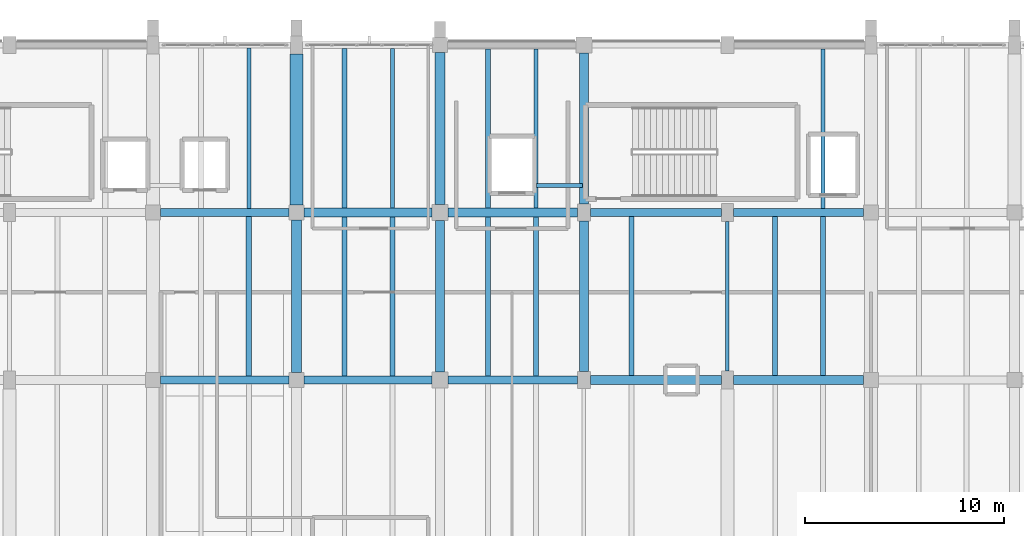
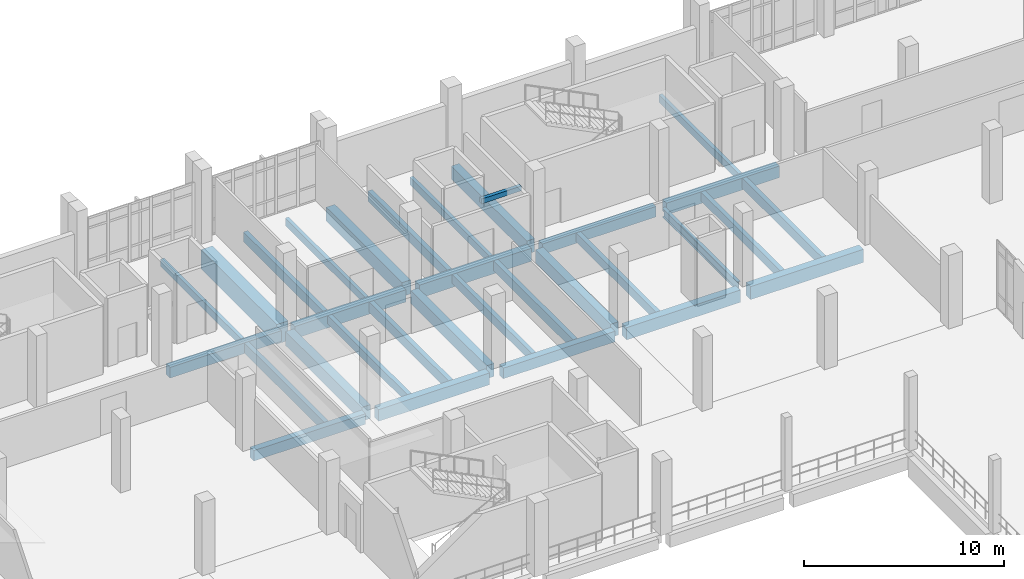
# One storey, part 63 of 116: 32 beams.
"""IFC4 building model written with IfcOpenShell, lengths in metres."""

from ifc_helpers import new_model, si_unit, direction, frame, origin, origin_2d, place, context, subcontext, project, spatial, rectangle, i_section, extrude, material, material_profile, profile_set, type_object, element, save


model = new_model("IFC4")

# Units and contexts
model_context = context("Model", 3, precision=1e-05, world=origin(), true_north=direction((0.0, 1.0)))
body_context = subcontext(model_context, "Body", "Model", "MODEL_VIEW")
ifc_project = project(units=[si_unit("LENGTHUNIT", "METRE"), si_unit("AREAUNIT", "SQUARE_METRE"), si_unit("VOLUMEUNIT", "CUBIC_METRE"), si_unit("PLANEANGLEUNIT", "RADIAN"), si_unit("MASSUNIT", "GRAM", prefix="KILO")], contexts=[model_context])

# Site, building, storey
site_placement = place(None, origin())
site = spatial("IfcSite", under=ifc_project, at=site_placement, CompositionType="ELEMENT")
building_placement = place(site_placement, origin())
building = spatial("IfcBuilding", under=site, at=building_placement, Name="Kalluvel Institute of Natural Sciences", CompositionType="ELEMENT")
storey_placement = place(building_placement, frame((0.0, 0.0, 14.39990234375)))
storey = spatial("IfcBuildingStorey", under=building, at=storey_placement, Name="L03", CompositionType="ELEMENT", Elevation=14.39990234375)

# Beams
ifc_material_1 = material(Name="Steel E350 Grade 350", Category="steel")
ifc_material_profile_1 = material_profile(ifc_material_1, i_section(OverallWidth=0.18994140625, OverallDepth=0.550048828125, WebThickness=0.01123046875, FlangeThickness=0.019287109375, FilletRadius=0.01806640625, at=origin_2d()), Name="ISMB 550")
ifc_profile_set_1 = profile_set([ifc_material_profile_1], Name="Steel E350 Grade 350")
beam_type_1 = type_object("IfcBeamType", Name="BM-ISMB550", PredefinedType="BEAM", material=ifc_profile_set_1)
beam_1_placement = place(storey_placement, frame((71.60009765625, 111.64990234375, -0.594970703125), z_axis=(0.0, 1.0, 0.0), x_axis=(-1.0, 0.0, 0.0)))
element("IfcBeam", 1, at=beam_1_placement, inside=storey, type_object=beam_type_1, Name="L03 girder GIR-L03-NS-X716-Y1112", PredefinedType="BEAM", context=body_context, shape_type="SweptSolid", body=[
    extrude(i_section(OverallWidth=0.18994140625, OverallDepth=0.550048828125, WebThickness=0.01123046875, FlangeThickness=0.019287109375, FilletRadius=0.01806640625, at=origin_2d()), origin(), (0.0, 0.0, 1.0), 7.5),
])
ifc_material_2 = material(Name="Concrete M40", Category="concrete")
ifc_material_profile_2 = material_profile(ifc_material_2, rectangle(XDim=0.3798828125, YDim=0.639892578125, at=origin_2d()), Name="RCB 380x640")
ifc_profile_set_2 = profile_set([ifc_material_profile_2], Name="Concrete M40")
beam_type_2 = type_object("IfcBeamType", Name="BM-RC380x640", PredefinedType="BEAM", material=ifc_profile_set_2)
beam_2_placement = place(storey_placement, frame((43.175048828125, 111.199951171875, -0.639892578125), z_axis=(1.0, 0.0, 0.0), x_axis=(0.0, 1.0, 0.0)))
element("IfcBeam", 2, at=beam_2_placement, inside=storey, type_object=beam_type_2, Name="L03 girder GIR-L03-EW-X428-Y1112", PredefinedType="BEAM", context=body_context, shape_type="SweptSolid", body=[
    extrude(rectangle(XDim=0.3798828125, YDim=0.639892578125, at=origin_2d()), origin(), (0.0, 0.0, 1.0), 6.449951171875),
])
beam_3_placement = place(storey_placement, frame((64.72509765625, 119.60009765625, -0.639892578125), z_axis=(1.0, 0.0, 0.0), x_axis=(0.0, 1.0, 0.0)))
element("IfcBeam", 3, at=beam_3_placement, inside=storey, type_object=beam_type_2, Name="L03 girder GIR-L03-EW-X644-Y1196", PredefinedType="BEAM", context=body_context, shape_type="SweptSolid", body=[
    extrude(rectangle(XDim=0.3798828125, YDim=0.639892578125, at=origin_2d()), origin(), (0.0, 0.0, 1.0), 6.574951171875),
])
ifc_material_profile_3 = material_profile(ifc_material_2, rectangle(XDim=0.39990234375, YDim=0.64990234375, at=origin_2d()), Name="RCB 400x650")
ifc_profile_set_3 = profile_set([ifc_material_profile_3], Name="Concrete M40")
beam_type_3 = type_object("IfcBeamType", Name="BM-RC400x650", PredefinedType="BEAM", material=ifc_profile_set_3)
beam_4_placement = place(storey_placement, frame((57.60009765625, 111.199951171875, -0.64501953125), z_axis=(1.0, 0.0, 0.0), x_axis=(0.0, 1.0, 0.0)))
element("IfcBeam", 4, at=beam_4_placement, inside=storey, type_object=beam_type_3, Name="L03 girder GIR-L03-EW-X572-Y1112", PredefinedType="BEAM", context=body_context, shape_type="SweptSolid", body=[
    extrude(rectangle(XDim=0.39990234375, YDim=0.64990234375, at=origin_2d()), origin(), (0.0, 0.0, 1.0), 6.474853515625),
])
beam_5_placement = place(storey_placement, frame((43.175048828125, 119.60009765625, -0.64501953125), z_axis=(1.0, 0.0, 0.0), x_axis=(0.0, 1.0, 0.0)))
element("IfcBeam", 5, at=beam_5_placement, inside=storey, type_object=beam_type_3, Name="L03 girder GIR-L03-EW-X428-Y1196", PredefinedType="BEAM", context=body_context, shape_type="SweptSolid", body=[
    extrude(rectangle(XDim=0.39990234375, YDim=0.64990234375, at=origin_2d()), origin(), (0.0, 0.0, 1.0), 6.449951171875),
])
ifc_material_profile_4 = material_profile(ifc_material_2, rectangle(XDim=0.419921875, YDim=0.719970703125, at=origin_2d()), Name="RCB 420x720")
ifc_profile_set_4 = profile_set([ifc_material_profile_4], Name="Concrete M40")
beam_type_4 = type_object("IfcBeamType", Name="BM-RC420x720", PredefinedType="BEAM", material=ifc_profile_set_4)
beam_6_placement = place(storey_placement, frame((50.375, 111.199951171875, -0.679931640625), z_axis=(1.0, 0.0, 0.0), x_axis=(0.0, 1.0, 0.0)))
element("IfcBeam", 6, at=beam_6_placement, inside=storey, type_object=beam_type_4, Name="L03 girder GIR-L03-EW-X500-Y1112", PredefinedType="BEAM", context=body_context, shape_type="SweptSolid", body=[
    extrude(rectangle(XDim=0.419921875, YDim=0.719970703125, at=origin_2d()), origin(), (0.0, 0.0, 1.0), 6.425048828125),
])
beam_7_placement = place(storey_placement, frame((71.89990234375, 119.60009765625, -0.679931640625), z_axis=(1.0, 0.0, 0.0), x_axis=(0.0, 1.0, 0.0)))
element("IfcBeam", 7, at=beam_7_placement, inside=storey, type_object=beam_type_4, Name="L03 girder GIR-L03-EW-X716-Y1196", PredefinedType="BEAM", context=body_context, shape_type="SweptSolid", body=[
    extrude(rectangle(XDim=0.419921875, YDim=0.719970703125, at=origin_2d()), origin(), (0.0, 0.0, 1.0), 6.525146484375),
])
ifc_material_profile_5 = material_profile(ifc_material_2, rectangle(XDim=0.449951171875, YDim=0.75, at=origin_2d()), Name="RCB 450x750")
ifc_profile_set_5 = profile_set([ifc_material_profile_5], Name="Concrete M40")
beam_type_5 = type_object("IfcBeamType", Name="BM-RC450x750", PredefinedType="BEAM", material=ifc_profile_set_5)
beam_8_placement = place(storey_placement, frame((64.72509765625, 111.199951171875, -0.69482421875), z_axis=(1.0, 0.0, 0.0), x_axis=(0.0, 1.0, 0.0)))
element("IfcBeam", 8, at=beam_8_placement, inside=storey, type_object=beam_type_5, Name="L03 girder GIR-L03-EW-X644-Y1112", PredefinedType="BEAM", context=body_context, shape_type="SweptSolid", body=[
    extrude(rectangle(XDim=0.449951171875, YDim=0.75, at=origin_2d()), origin(), (0.0, 0.0, 1.0), 6.574951171875),
])
beam_9_placement = place(storey_placement, frame((50.375, 119.60009765625, -0.69482421875), z_axis=(1.0, 0.0, 0.0), x_axis=(0.0, 1.0, 0.0)))
element("IfcBeam", 9, at=beam_9_placement, inside=storey, type_object=beam_type_5, Name="L03 girder GIR-L03-EW-X500-Y1196", PredefinedType="BEAM", context=body_context, shape_type="SweptSolid", body=[
    extrude(rectangle(XDim=0.449951171875, YDim=0.75, at=origin_2d()), origin(), (0.0, 0.0, 1.0), 6.425048828125),
])
ifc_material_profile_6 = material_profile(ifc_material_2, rectangle(XDim=0.449951171875, YDim=0.800048828125, at=origin_2d()), Name="RCB 450x800")
ifc_profile_set_6 = profile_set([ifc_material_profile_6], Name="Concrete M40")
beam_type_6 = type_object("IfcBeamType", Name="BM-RC450x800", PredefinedType="BEAM", material=ifc_profile_set_6)
beam_10_placement = place(storey_placement, frame((71.89990234375, 111.199951171875, -0.719970703125), z_axis=(1.0, 0.0, 0.0), x_axis=(0.0, 1.0, 0.0)))
element("IfcBeam", 10, at=beam_10_placement, inside=storey, type_object=beam_type_6, Name="L03 girder GIR-L03-EW-X716-Y1112", PredefinedType="BEAM", context=body_context, shape_type="SweptSolid", body=[
    extrude(rectangle(XDim=0.449951171875, YDim=0.800048828125, at=origin_2d()), origin(), (0.0, 0.0, 1.0), 6.525146484375),
])
beam_11_placement = place(storey_placement, frame((57.60009765625, 119.60009765625, -0.719970703125), z_axis=(1.0, 0.0, 0.0), x_axis=(0.0, 1.0, 0.0)))
element("IfcBeam", 11, at=beam_11_placement, inside=storey, type_object=beam_type_6, Name="L03 girder GIR-L03-EW-X572-Y1196", PredefinedType="BEAM", context=body_context, shape_type="SweptSolid", body=[
    extrude(rectangle(XDim=0.449951171875, YDim=0.800048828125, at=origin_2d()), origin(), (0.0, 0.0, 1.0), 6.474853515625),
])
beam_12_placement = place(storey_placement, frame((57.199951171875, 111.60009765625, -0.719970703125), z_axis=(0.0, 1.0, 0.0), x_axis=(-1.0, 0.0, 0.0)))
element("IfcBeam", 12, at=beam_12_placement, inside=storey, type_object=beam_type_6, Name="L03 girder GIR-L03-NS-X572-Y1112", PredefinedType="BEAM", context=body_context, shape_type="SweptSolid", body=[
    extrude(rectangle(XDim=0.449951171875, YDim=0.800048828125, at=origin_2d()), origin(), (0.0, 0.0, 1.0), 7.599853515625),
])
beam_13_placement = place(storey_placement, frame((64.39990234375, 111.625, -0.719970703125), z_axis=(0.0, 1.0, 0.0), x_axis=(-1.0, 0.0, 0.0)))
element("IfcBeam", 13, at=beam_13_placement, inside=storey, type_object=beam_type_6, Name="L03 girder GIR-L03-NS-X644-Y1112", PredefinedType="BEAM", context=body_context, shape_type="SweptSolid", body=[
    extrude(rectangle(XDim=0.449951171875, YDim=0.800048828125, at=origin_2d()), origin(), (0.0, 0.0, 1.0), 7.550048828125),
])
beam_14_placement = place(storey_placement, frame((64.39990234375, 120.02490234375, -0.719970703125), z_axis=(0.0, 1.0, 0.0), x_axis=(-1.0, 0.0, 0.0)))
element("IfcBeam", 14, at=beam_14_placement, inside=storey, type_object=beam_type_6, Name="L03 girder GIR-L03-NS-X644-Y1196", PredefinedType="BEAM", context=body_context, shape_type="SweptSolid", body=[
    extrude(rectangle(XDim=0.449951171875, YDim=0.800048828125, at=origin_2d()), origin(), (0.0, 0.0, 1.0), 7.5751953125),
])
ifc_material_3 = material(Name="Concrete M50", Category="concrete")
ifc_material_profile_7 = material_profile(ifc_material_3, rectangle(XDim=0.5, YDim=0.85009765625, at=origin_2d()), Name="RCB 500x850")
ifc_profile_set_7 = profile_set([ifc_material_profile_7], Name="Concrete M50")
beam_type_7 = type_object("IfcBeamType", Name="BM-RC500x850", PredefinedType="BEAM", material=ifc_profile_set_7)
beam_15_placement = place(storey_placement, frame((50.0, 111.574951171875, -0.744873046875), z_axis=(0.0, 1.0, 0.0), x_axis=(-1.0, 0.0, 0.0)))
element("IfcBeam", 15, at=beam_15_placement, inside=storey, type_object=beam_type_7, Name="L03 girder GIR-L03-NS-X500-Y1112", PredefinedType="BEAM", context=body_context, shape_type="SweptSolid", body=[
    extrude(rectangle(XDim=0.5, YDim=0.85009765625, at=origin_2d()), origin(), (0.0, 0.0, 1.0), 7.650146484375),
])
beam_16_placement = place(storey_placement, frame((57.199951171875, 120.0, -0.744873046875), z_axis=(0.0, 1.0, 0.0), x_axis=(-1.0, 0.0, 0.0)))
element("IfcBeam", 16, at=beam_16_placement, inside=storey, type_object=beam_type_7, Name="L03 girder GIR-L03-NS-X572-Y1196", PredefinedType="BEAM", context=body_context, shape_type="SweptSolid", body=[
    extrude(rectangle(XDim=0.5, YDim=0.85009765625, at=origin_2d()), origin(), (0.0, 0.0, 1.0), 7.625),
])
ifc_material_profile_8 = material_profile(ifc_material_3, rectangle(XDim=0.64990234375, YDim=1.199951171875, at=origin_2d()), Name="RCB 650x1200")
ifc_profile_set_8 = profile_set([ifc_material_profile_8], Name="Concrete M50")
beam_type_8 = type_object("IfcBeamType", Name="BM-RC650x1200", PredefinedType="BEAM", material=ifc_profile_set_8)
beam_17_placement = place(storey_placement, frame((50.0, 119.97509765625, -0.919921875), z_axis=(0.0, 1.0, 0.0), x_axis=(-1.0, 0.0, 0.0)))
element("IfcBeam", 17, at=beam_17_placement, inside=storey, type_object=beam_type_8, Name="L03 girder GIR-L03-NS-X500-Y1196", PredefinedType="BEAM", context=body_context, shape_type="SweptSolid", body=[
    extrude(rectangle(XDim=0.64990234375, YDim=1.199951171875, at=origin_2d()), origin(), (0.0, 0.0, 1.0), 7.574951171875),
])
ifc_material_4 = material(Name="Sadarahalli Granite Precast Concrete M45", Category="masonry")
ifc_material_profile_9 = material_profile(ifc_material_4, rectangle(XDim=0.199951171875, YDim=0.300048828125, at=origin_2d()), Name="LIN 200x300")
ifc_profile_set_9 = profile_set([ifc_material_profile_9], Name="Sadarahalli Granite Precast Concrete M45")
beam_type_9 = type_object("IfcBeamType", Name="LN-200x300-INT", PredefinedType="LINTEL", material=ifc_profile_set_9)
beam_18_placement = place(storey_placement, frame((62.0400390625, 120.949951171875, 2.35009765625), z_axis=(1.0, 0.0, 0.0), x_axis=(0.0, 1.0, 0.0)))
element("IfcBeam", 18, at=beam_18_placement, inside=storey, type_object=beam_type_9, Name="L03 core coupling lintel B", PredefinedType="LINTEL", context=body_context, shape_type="SweptSolid", body=[
    extrude(rectangle(XDim=0.199951171875, YDim=0.300048828125, at=origin_2d()), origin(), (0.0, 0.0, 1.0), 2.2900390625),
])
ifc_material_profile_10 = material_profile(ifc_material_2, rectangle(XDim=0.199951171875, YDim=0.4599609375, at=origin_2d()), Name="WAF 200x460")
ifc_profile_set_10 = profile_set([ifc_material_profile_10], Name="Concrete M40")
beam_type_10 = type_object("IfcBeamType", Name="WJ-200x460", PredefinedType="JOIST", material=ifc_profile_set_10)
beam_19_placement = place(storey_placement, frame((47.60009765625, 119.800048828125, -0.5498046875), z_axis=(0.0, 1.0, 0.0), x_axis=(-1.0, 0.0, 0.0)))
element("IfcBeam", 19, at=beam_19_placement, inside=storey, type_object=beam_type_10, Name="L03 waffle joist RIB-L03-0243", PredefinedType="JOIST", context=body_context, shape_type="SweptSolid", body=[
    extrude(rectangle(XDim=0.199951171875, YDim=0.4599609375, at=origin_2d()), origin(), (0.0, 0.0, 1.0), 8.050048828125),
])
beam_20_placement = place(storey_placement, frame((54.800048828125, 119.824951171875, -0.5498046875), z_axis=(0.0, 1.0, 0.0), x_axis=(-1.0, 0.0, 0.0)))
element("IfcBeam", 20, at=beam_20_placement, inside=storey, type_object=beam_type_10, Name="L03 waffle joist RIB-L03-0249", PredefinedType="JOIST", context=body_context, shape_type="SweptSolid", body=[
    extrude(rectangle(XDim=0.199951171875, YDim=0.4599609375, at=origin_2d()), origin(), (0.0, 0.0, 1.0), 8.0),
])
beam_21_placement = place(storey_placement, frame((62.0, 119.824951171875, -0.5498046875), z_axis=(0.0, 1.0, 0.0), x_axis=(-1.0, 0.0, 0.0)))
element("IfcBeam", 21, at=beam_21_placement, inside=storey, type_object=beam_type_10, Name="L03 waffle joist RIB-L03-0255", PredefinedType="JOIST", context=body_context, shape_type="SweptSolid", body=[
    extrude(rectangle(XDim=0.199951171875, YDim=0.4599609375, at=origin_2d()), origin(), (0.0, 0.0, 1.0), 7.97509765625),
])
beam_22_placement = place(storey_placement, frame((76.39990234375, 119.81005859375, -0.5498046875), z_axis=(0.0, 1.0, 0.0), x_axis=(-1.0, 0.0, 0.0)))
element("IfcBeam", 22, at=beam_22_placement, inside=storey, type_object=beam_type_10, Name="L03 waffle joist RIB-L03-0262", PredefinedType="JOIST", context=body_context, shape_type="SweptSolid", body=[
    extrude(rectangle(XDim=0.199951171875, YDim=0.4599609375, at=origin_2d()), origin(), (0.0, 0.0, 1.0), 7.989990234375),
])
ifc_material_profile_11 = material_profile(ifc_material_2, rectangle(XDim=0.239990234375, YDim=0.52001953125, at=origin_2d()), Name="WAF 240x520")
ifc_profile_set_11 = profile_set([ifc_material_profile_11], Name="Concrete M40")
beam_type_11 = type_object("IfcBeamType", Name="WJ-240x520", PredefinedType="JOIST", material=ifc_profile_set_11)
beam_23_placement = place(storey_placement, frame((52.39990234375, 111.409912109375, -0.579833984375), z_axis=(0.0, 1.0, 0.0), x_axis=(-1.0, 0.0, 0.0)))
element("IfcBeam", 23, at=beam_23_placement, inside=storey, type_object=beam_type_11, Name="L03 waffle joist RIB-L03-0246", PredefinedType="JOIST", context=body_context, shape_type="SweptSolid", body=[
    extrude(rectangle(XDim=0.239990234375, YDim=0.52001953125, at=origin_2d()), origin(), (0.0, 0.0, 1.0), 7.965087890625),
])
ifc_material_profile_12 = material_profile(ifc_material_2, rectangle(XDim=0.25, YDim=0.550048828125, at=origin_2d()), Name="WAF 250x550")
ifc_profile_set_12 = profile_set([ifc_material_profile_12], Name="Concrete M40")
beam_type_12 = type_object("IfcBeamType", Name="WJ-250x550", PredefinedType="JOIST", material=ifc_profile_set_12)
beam_24_placement = place(storey_placement, frame((59.60009765625, 111.39990234375, -0.594970703125), z_axis=(0.0, 1.0, 0.0), x_axis=(-1.0, 0.0, 0.0)))
element("IfcBeam", 24, at=beam_24_placement, inside=storey, type_object=beam_type_12, Name="L03 waffle joist RIB-L03-0252", PredefinedType="JOIST", context=body_context, shape_type="SweptSolid", body=[
    extrude(rectangle(XDim=0.25, YDim=0.550048828125, at=origin_2d()), origin(), (0.0, 0.0, 1.0), 7.97509765625),
])
beam_25_placement = place(storey_placement, frame((66.800048828125, 111.425048828125, -0.594970703125), z_axis=(0.0, 1.0, 0.0), x_axis=(-1.0, 0.0, 0.0)))
element("IfcBeam", 25, at=beam_25_placement, inside=storey, type_object=beam_type_12, Name="L03 waffle joist RIB-L03-0257", PredefinedType="JOIST", context=body_context, shape_type="SweptSolid", body=[
    extrude(rectangle(XDim=0.25, YDim=0.550048828125, at=origin_2d()), origin(), (0.0, 0.0, 1.0), 7.98486328125),
])
beam_26_placement = place(storey_placement, frame((74.0, 111.425048828125, -0.594970703125), z_axis=(0.0, 1.0, 0.0), x_axis=(-1.0, 0.0, 0.0)))
element("IfcBeam", 26, at=beam_26_placement, inside=storey, type_object=beam_type_12, Name="L03 waffle joist RIB-L03-0260", PredefinedType="JOIST", context=body_context, shape_type="SweptSolid", body=[
    extrude(rectangle(XDim=0.25, YDim=0.550048828125, at=origin_2d()), origin(), (0.0, 0.0, 1.0), 7.96484375),
])
ifc_material_profile_13 = material_profile(ifc_material_2, rectangle(XDim=0.25, YDim=0.60009765625, at=origin_2d()), Name="WAF 250x600")
ifc_profile_set_13 = profile_set([ifc_material_profile_13], Name="Concrete M40")
beam_type_13 = type_object("IfcBeamType", Name="WJ-250x600", PredefinedType="JOIST", material=ifc_profile_set_13)
beam_27_placement = place(storey_placement, frame((52.39990234375, 119.824951171875, -0.619873046875), z_axis=(0.0, 1.0, 0.0), x_axis=(-1.0, 0.0, 0.0)))
element("IfcBeam", 27, at=beam_27_placement, inside=storey, type_object=beam_type_13, Name="L03 waffle joist RIB-L03-0248", PredefinedType="JOIST", context=body_context, shape_type="SweptSolid", body=[
    extrude(rectangle(XDim=0.25, YDim=0.60009765625, at=origin_2d()), origin(), (0.0, 0.0, 1.0), 8.0),
])
ifc_material_profile_14 = material_profile(ifc_material_3, rectangle(XDim=0.260009765625, YDim=0.6201171875, at=origin_2d()), Name="WAF 260x620")
ifc_profile_set_14 = profile_set([ifc_material_profile_14], Name="Concrete M50")
beam_type_14 = type_object("IfcBeamType", Name="WJ-260x620", PredefinedType="JOIST", material=ifc_profile_set_14)
beam_28_placement = place(storey_placement, frame((47.60009765625, 111.389892578125, -0.6298828125), z_axis=(0.0, 1.0, 0.0), x_axis=(-1.0, 0.0, 0.0)))
element("IfcBeam", 28, at=beam_28_placement, inside=storey, type_object=beam_type_14, Name="L03 waffle joist RIB-L03-0241", PredefinedType="JOIST", context=body_context, shape_type="SweptSolid", body=[
    extrude(rectangle(XDim=0.260009765625, YDim=0.6201171875, at=origin_2d()), origin(), (0.0, 0.0, 1.0), 8.010009765625),
])
beam_29_placement = place(storey_placement, frame((54.800048828125, 111.409912109375, -0.6298828125), z_axis=(0.0, 1.0, 0.0), x_axis=(-1.0, 0.0, 0.0)))
element("IfcBeam", 29, at=beam_29_placement, inside=storey, type_object=beam_type_14, Name="L03 waffle joist RIB-L03-0247", PredefinedType="JOIST", context=body_context, shape_type="SweptSolid", body=[
    extrude(rectangle(XDim=0.260009765625, YDim=0.6201171875, at=origin_2d()), origin(), (0.0, 0.0, 1.0), 7.965087890625),
])
for number, where, z_axis, x_axis, name in (
    (30, (62.0, 111.39990234375, -0.6298828125), (0.0, 1.0, 0.0), (-1.0, 0.0, 0.0), "L03 waffle joist RIB-L03-0253"),
    (31, (59.60009765625, 119.824951171875, -0.6298828125), (0.0, 1.0, 0.0), (-1.0, 0.0, 0.0), "L03 waffle joist RIB-L03-0254"),
):
    element("IfcBeam", number, at=place(storey_placement, frame(where, z_axis=z_axis, x_axis=x_axis)), inside=storey, type_object=beam_type_14, Name=name, PredefinedType="JOIST", context=body_context, shape_type="SweptSolid", body=[
        extrude(rectangle(XDim=0.260009765625, YDim=0.6201171875, at=origin_2d()), origin(), (0.0, 0.0, 1.0), 7.97509765625),
    ])
beam_30_placement = place(storey_placement, frame((76.39990234375, 111.425048828125, -0.6298828125), z_axis=(0.0, 1.0, 0.0), x_axis=(-1.0, 0.0, 0.0)))
element("IfcBeam", 32, at=beam_30_placement, inside=storey, type_object=beam_type_14, Name="L03 waffle joist RIB-L03-0261", PredefinedType="JOIST", context=body_context, shape_type="SweptSolid", body=[
    extrude(rectangle(XDim=0.260009765625, YDim=0.6201171875, at=origin_2d()), origin(), (0.0, 0.0, 1.0), 7.96484375),
])

save(model, "model.ifc")
